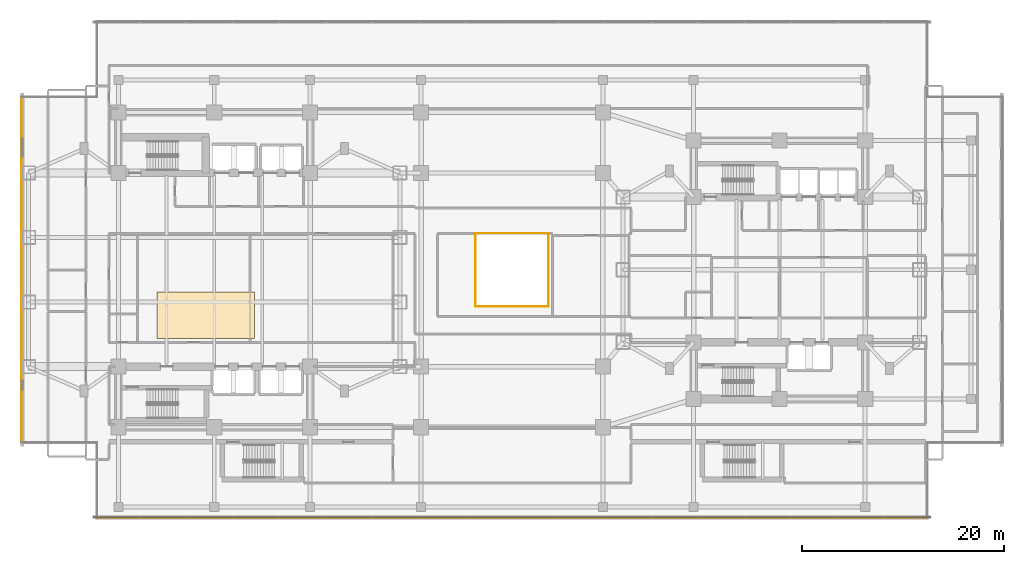
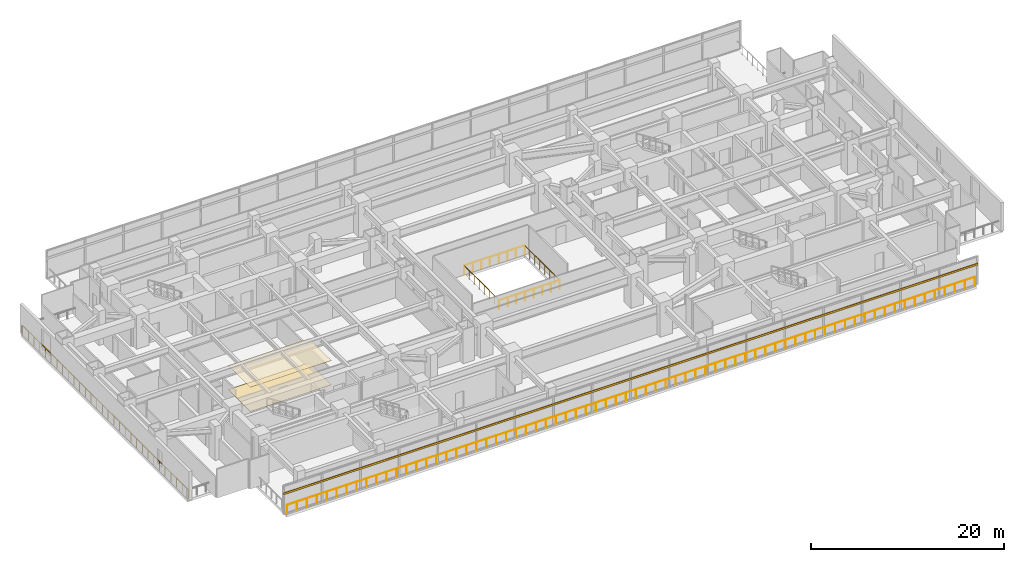
# One storey, part 21 of 26: 6 railings, 2 coverings, 1 shading device.
"""IFC4 building model written with IfcOpenShell, lengths in metres."""

from ifc_helpers import new_model, si_unit, direction, frame, origin, origin_2d, place, context, subcontext, project, spatial, polyline, rectangle, circle, outline, extrude, material, layer, layer_set, material_profile, profile_set, type_object, element, save


model = new_model("IFC4")

# Units and contexts
model_context = context("Model", 3, precision=1e-05, world=origin(), true_north=direction((0.0, 1.0)))
body_context = subcontext(model_context, "Body", "Model", "MODEL_VIEW")
ifc_project = project(units=[si_unit("LENGTHUNIT", "METRE"), si_unit("AREAUNIT", "SQUARE_METRE"), si_unit("VOLUMEUNIT", "CUBIC_METRE"), si_unit("PLANEANGLEUNIT", "RADIAN"), si_unit("MASSUNIT", "GRAM", prefix="KILO")], contexts=[model_context])

# Site, building, storey
site_placement = place(None, origin())
site = spatial("IfcSite", under=ifc_project, at=site_placement, CompositionType="ELEMENT")
building_placement = place(site_placement, origin())
building = spatial("IfcBuilding", under=site, at=building_placement, Name="Mirazonda Arch Towers", CompositionType="ELEMENT")
storey_placement = place(building_placement, frame((0.0, 0.0, 13.800048828125)))
storey = spatial("IfcBuildingStorey", under=building, at=storey_placement, Name="L03", CompositionType="ELEMENT", Elevation=13.800048828125)

# Shading device
ifc_material_1 = material(Name="Kiln-Fired Architectural Terracotta", Category="masonry")
ifc_material_profile = material_profile(ifc_material_1, rectangle(XDim=0.1201171875, YDim=0.239990234375, at=origin_2d()), Name="TERRA-BAG-120x240")
ifc_profile_set = profile_set([ifc_material_profile], Name="Kiln-Fired Architectural Terracotta")
shading_device_type = type_object("IfcShadingDeviceType", Name="BAGUETTE-1", PredefinedType="USERDEFINED", material=ifc_profile_set)
shading_device_placement = place(storey_placement, frame((91.5, 3.469970703125, 2.613525390625), z_axis=(-1.0, 0.0, 0.0), x_axis=(0.0, -1.0, 0.0)))
element("IfcShadingDevice", 1, at=shading_device_placement, inside=storey, type_object=shading_device_type, Name="L03 Glazed Terracotta Sun-Screen Baguette CW-L03-S1", ObjectType="BAGUETTE", PredefinedType="USERDEFINED", context=body_context, shape_type="SweptSolid", body=[
    extrude(rectangle(XDim=0.1201171875, YDim=0.239990234375, at=origin_2d()), origin(), (0.0, 0.0, 1.0), 83.0),
])

# Railings
ifc_material_2 = material(Name="Insulated Low-E Solar Glass", Category="glass")
railing_type_1 = type_object("IfcRailingType", Name="BALUSTRADE-ATRIUM-1150", PredefinedType="BALUSTRADE", material=ifc_material_2)
railing_1_placement = place(storey_placement, frame((46.3798828125, 24.3798828125, 0.0)))
element("IfcRailing", 2, at=railing_1_placement, inside=storey, type_object=railing_type_1, Name="L03 L03 Arch-Crown Atrium Void Balustrade 01", PredefinedType="BALUSTRADE", context=body_context, shape_type="SweptSolid", body=[
    extrude(circle(Radius=0.02392578125, at=origin_2d()), frame((0.0, 0.0, 1.1259765625), z_axis=(1.0, 0.0, 0.0), x_axis=(0.0, 1.0, 0.0)), (0.0, 0.0, 1.0), 7.240234375),
    extrude(circle(Radius=0.02099609375, at=origin_2d()), origin(), (0.0, 0.0, 1.0), 1.101806640625),
    extrude(circle(Radius=0.02099609375, at=origin_2d()), frame((1.034423828125, 0.0, 0.0)), (0.0, 0.0, 1.0), 1.101806640625),
    extrude(circle(Radius=0.02099609375, at=origin_2d()), frame((2.068603515625, 0.0, 0.0)), (0.0, 0.0, 1.0), 1.101806640625),
    extrude(circle(Radius=0.02099609375, at=origin_2d()), frame((3.10302734375, 0.0, 0.0)), (0.0, 0.0, 1.0), 1.101806640625),
    extrude(circle(Radius=0.02099609375, at=origin_2d()), frame((4.13720703125, 0.0, 0.0)), (0.0, 0.0, 1.0), 1.101806640625),
    extrude(circle(Radius=0.02099609375, at=origin_2d()), frame((5.171630859375, 0.0, 0.0)), (0.0, 0.0, 1.0), 1.101806640625),
    extrude(circle(Radius=0.02099609375, at=origin_2d()), frame((6.205810546875, 0.0, 0.0)), (0.0, 0.0, 1.0), 1.101806640625),
    extrude(circle(Radius=0.02099609375, at=origin_2d()), frame((7.240234375, 0.0, 0.0)), (0.0, 0.0, 1.0), 1.101806640625),
])
railing_2_placement = place(storey_placement, frame((53.6201171875, 24.3798828125, 0.0)))
element("IfcRailing", 3, at=railing_2_placement, inside=storey, type_object=railing_type_1, Name="L03 L03 Arch-Crown Atrium Void Balustrade 02", PredefinedType="BALUSTRADE", context=body_context, shape_type="SweptSolid", body=[
    extrude(circle(Radius=0.02392578125, at=origin_2d()), frame((0.0, 0.0, 1.1259765625), z_axis=(0.0, 1.0, 0.0), x_axis=(-1.0, 0.0, 0.0)), (0.0, 0.0, 1.0), 7.240234375),
    extrude(circle(Radius=0.02099609375, at=origin_2d()), origin(), (0.0, 0.0, 1.0), 1.101806640625),
    extrude(circle(Radius=0.02099609375, at=origin_2d()), frame((0.0, 1.034423828125, 0.0)), (0.0, 0.0, 1.0), 1.101806640625),
    extrude(circle(Radius=0.02099609375, at=origin_2d()), frame((0.0, 2.068603515625, 0.0)), (0.0, 0.0, 1.0), 1.101806640625),
    extrude(circle(Radius=0.02099609375, at=origin_2d()), frame((0.0, 3.10302734375, 0.0)), (0.0, 0.0, 1.0), 1.101806640625),
    extrude(circle(Radius=0.02099609375, at=origin_2d()), frame((0.0, 4.13720703125, 0.0)), (0.0, 0.0, 1.0), 1.101806640625),
    extrude(circle(Radius=0.02099609375, at=origin_2d()), frame((0.0, 5.171630859375, 0.0)), (0.0, 0.0, 1.0), 1.101806640625),
    extrude(circle(Radius=0.02099609375, at=origin_2d()), frame((0.0, 6.205810546875, 0.0)), (0.0, 0.0, 1.0), 1.101806640625),
    extrude(circle(Radius=0.02099609375, at=origin_2d()), frame((0.0, 7.240234375, 0.0)), (0.0, 0.0, 1.0), 1.101806640625),
])
railing_3_placement = place(storey_placement, frame((53.6201171875, 31.6201171875, 0.0)))
element("IfcRailing", 4, at=railing_3_placement, inside=storey, type_object=railing_type_1, Name="L03 L03 Arch-Crown Atrium Void Balustrade 03", PredefinedType="BALUSTRADE", context=body_context, shape_type="SweptSolid", body=[
    extrude(circle(Radius=0.02392578125, at=origin_2d()), frame((0.0, 0.0, 1.1259765625), z_axis=(-1.0, 0.0, 0.0), x_axis=(0.0, -1.0, 0.0)), (0.0, 0.0, 1.0), 7.240234375),
    extrude(circle(Radius=0.02099609375, at=origin_2d()), origin(), (0.0, 0.0, 1.0), 1.101806640625),
    extrude(circle(Radius=0.02099609375, at=origin_2d()), frame((-1.034423828125, 0.0, 0.0)), (0.0, 0.0, 1.0), 1.101806640625),
    extrude(circle(Radius=0.02099609375, at=origin_2d()), frame((-2.068603515625, 0.0, 0.0)), (0.0, 0.0, 1.0), 1.101806640625),
    extrude(circle(Radius=0.02099609375, at=origin_2d()), frame((-3.10302734375, 0.0, 0.0)), (0.0, 0.0, 1.0), 1.101806640625),
    extrude(circle(Radius=0.02099609375, at=origin_2d()), frame((-4.13720703125, 0.0, 0.0)), (0.0, 0.0, 1.0), 1.101806640625),
    extrude(circle(Radius=0.02099609375, at=origin_2d()), frame((-5.171630859375, 0.0, 0.0)), (0.0, 0.0, 1.0), 1.101806640625),
    extrude(circle(Radius=0.02099609375, at=origin_2d()), frame((-6.205810546875, 0.0, 0.0)), (0.0, 0.0, 1.0), 1.101806640625),
    extrude(circle(Radius=0.02099609375, at=origin_2d()), frame((-7.240234375, 0.0, 0.0)), (0.0, 0.0, 1.0), 1.101806640625),
])
railing_4_placement = place(storey_placement, frame((46.3798828125, 31.6201171875, 0.0)))
element("IfcRailing", 5, at=railing_4_placement, inside=storey, type_object=railing_type_1, Name="L03 L03 Arch-Crown Atrium Void Balustrade 04", PredefinedType="BALUSTRADE", context=body_context, shape_type="SweptSolid", body=[
    extrude(circle(Radius=0.02392578125, at=origin_2d()), frame((0.0, 0.0, 1.1259765625), z_axis=(0.0, -1.0, 0.0), x_axis=(1.0, 0.0, 0.0)), (0.0, 0.0, 1.0), 7.240234375),
    extrude(circle(Radius=0.02099609375, at=origin_2d()), origin(), (0.0, 0.0, 1.0), 1.101806640625),
    extrude(circle(Radius=0.02099609375, at=origin_2d()), frame((0.0, -1.034423828125, 0.0)), (0.0, 0.0, 1.0), 1.101806640625),
    extrude(circle(Radius=0.02099609375, at=origin_2d()), frame((0.0, -2.068603515625, 0.0)), (0.0, 0.0, 1.0), 1.101806640625),
    extrude(circle(Radius=0.02099609375, at=origin_2d()), frame((0.0, -3.10302734375, 0.0)), (0.0, 0.0, 1.0), 1.101806640625),
    extrude(circle(Radius=0.02099609375, at=origin_2d()), frame((0.0, -4.13720703125, 0.0)), (0.0, 0.0, 1.0), 1.101806640625),
    extrude(circle(Radius=0.02099609375, at=origin_2d()), frame((0.0, -5.171630859375, 0.0)), (0.0, 0.0, 1.0), 1.101806640625),
    extrude(circle(Radius=0.02099609375, at=origin_2d()), frame((0.0, -6.205810546875, 0.0)), (0.0, 0.0, 1.0), 1.101806640625),
    extrude(circle(Radius=0.02099609375, at=origin_2d()), frame((0.0, -7.240234375, 0.0)), (0.0, 0.0, 1.0), 1.101806640625),
])

# Coverings
ifc_material_3 = material(Name="Acoustic Mineral Fibre Ceiling")
ifc_layer_1 = layer(ifc_material_3, 0.02490234375, Name="COV-CEIL-ACOUSTIC")
ifc_layer_set_1 = layer_set([ifc_layer_1], Name="Acoustic Mineral Fibre Ceiling")
covering_type_1 = type_object("IfcCoveringType", Name="COV-CEIL-ACOUSTIC", PredefinedType="CEILING", material=ifc_layer_set_1)
covering_1_placement = place(storey_placement, frame((0.0, 0.0, 3.074951171875)))
element("IfcCovering", 6, at=covering_1_placement, inside=storey, type_object=covering_type_1, Name="L03 Suspended Acoustic Ceiling", PredefinedType="CEILING", context=body_context, shape_type="SweptSolid", body=[
    extrude(outline(polyline([(14.800048828125, 21.199951171875), (24.5, 21.199951171875), (24.5, 25.800048828125), (14.800048828125, 25.800048828125), (14.800048828125, 21.199951171875)])), origin(), (0.0, 0.0, 1.0), 0.02490234375),
])
ifc_material_4 = material(Name="Polished Terrazzo Stone Finish", Category="masonry")
ifc_layer_2 = layer(ifc_material_4, 0.030029296875, Name="COV-FLOOR-STONE")
ifc_layer_set_2 = layer_set([ifc_layer_2], Name="Polished Terrazzo Stone Finish")
covering_type_2 = type_object("IfcCoveringType", Name="COV-FLOOR-STONE", PredefinedType="FLOORING", material=ifc_layer_set_2)
covering_2_placement = place(storey_placement, origin())
element("IfcCovering", 7, at=covering_2_placement, inside=storey, type_object=covering_type_2, Name="L03 Polished Terrazzo Lobby Flooring", PredefinedType="FLOORING", context=body_context, shape_type="SweptSolid", body=[
    extrude(outline(polyline([(14.800048828125, 21.199951171875), (24.5, 21.199951171875), (24.5, 25.800048828125), (14.800048828125, 25.800048828125), (14.800048828125, 21.199951171875)])), origin(), (0.0, 0.0, 1.0), 0.030029296875),
])

# Railings
ifc_material_5 = material(Name="Architectural Brushed Steel S355", Category="steel")
railing_type_2 = type_object("IfcRailingType", Name="GUARD-EXT-1150", PredefinedType="GUARDRAIL", material=ifc_material_5)
railing_5_placement = place(storey_placement, frame((8.889892578125, 3.389892578125, 0.0)))
element("IfcRailing", 8, at=railing_5_placement, inside=storey, type_object=railing_type_2, Name="L03 L03 Bridged Podium Perimeter Guard 01", PredefinedType="GUARDRAIL", context=body_context, shape_type="SweptSolid", body=[
    extrude(circle(Radius=0.02392578125, at=origin_2d()), frame((0.0, 0.0, 1.1259765625), z_axis=(1.0, 0.0, 0.0), x_axis=(0.0, 1.0, 0.0)), (0.0, 0.0, 1.0), 82.22021484375),
    extrude(circle(Radius=0.02099609375, at=origin_2d()), origin(), (0.0, 0.0, 1.0), 1.101806640625),
    extrude(circle(Radius=0.02099609375, at=origin_2d()), frame((1.191650390625, 0.0, 0.0)), (0.0, 0.0, 1.0), 1.101806640625),
    extrude(circle(Radius=0.02099609375, at=origin_2d()), frame((2.38330078125, 0.0, 0.0)), (0.0, 0.0, 1.0), 1.101806640625),
    extrude(circle(Radius=0.02099609375, at=origin_2d()), frame((3.57470703125, 0.0, 0.0)), (0.0, 0.0, 1.0), 1.101806640625),
    extrude(circle(Radius=0.02099609375, at=origin_2d()), frame((4.766357421875, 0.0, 0.0)), (0.0, 0.0, 1.0), 1.101806640625),
    extrude(circle(Radius=0.02099609375, at=origin_2d()), frame((5.9580078125, 0.0, 0.0)), (0.0, 0.0, 1.0), 1.101806640625),
    extrude(circle(Radius=0.02099609375, at=origin_2d()), frame((7.149658203125, 0.0, 0.0)), (0.0, 0.0, 1.0), 1.101806640625),
    extrude(circle(Radius=0.02099609375, at=origin_2d()), frame((8.341064453125, 0.0, 0.0)), (0.0, 0.0, 1.0), 1.101806640625),
    extrude(circle(Radius=0.02099609375, at=origin_2d()), frame((9.53271484375, 0.0, 0.0)), (0.0, 0.0, 1.0), 1.101806640625),
    extrude(circle(Radius=0.02099609375, at=origin_2d()), frame((10.724365234375, 0.0, 0.0)), (0.0, 0.0, 1.0), 1.101806640625),
    extrude(circle(Radius=0.02099609375, at=origin_2d()), frame((11.916015625, 0.0, 0.0)), (0.0, 0.0, 1.0), 1.101806640625),
    extrude(circle(Radius=0.02099609375, at=origin_2d()), frame((13.107666015625, 0.0, 0.0)), (0.0, 0.0, 1.0), 1.101806640625),
    extrude(circle(Radius=0.02099609375, at=origin_2d()), frame((14.299072265625, 0.0, 0.0)), (0.0, 0.0, 1.0), 1.101806640625),
    extrude(circle(Radius=0.02099609375, at=origin_2d()), frame((15.49072265625, 0.0, 0.0)), (0.0, 0.0, 1.0), 1.101806640625),
    extrude(circle(Radius=0.02099609375, at=origin_2d()), frame((16.682373046875, 0.0, 0.0)), (0.0, 0.0, 1.0), 1.101806640625),
    extrude(circle(Radius=0.02099609375, at=origin_2d()), frame((17.8740234375, 0.0, 0.0)), (0.0, 0.0, 1.0), 1.101806640625),
    extrude(circle(Radius=0.02099609375, at=origin_2d()), frame((19.065673828125, 0.0, 0.0)), (0.0, 0.0, 1.0), 1.101806640625),
    extrude(circle(Radius=0.02099609375, at=origin_2d()), frame((20.257080078125, 0.0, 0.0)), (0.0, 0.0, 1.0), 1.101806640625),
    extrude(circle(Radius=0.02099609375, at=origin_2d()), frame((21.44873046875, 0.0, 0.0)), (0.0, 0.0, 1.0), 1.101806640625),
    extrude(circle(Radius=0.02099609375, at=origin_2d()), frame((22.640380859375, 0.0, 0.0)), (0.0, 0.0, 1.0), 1.101806640625),
    extrude(circle(Radius=0.02099609375, at=origin_2d()), frame((23.83203125, 0.0, 0.0)), (0.0, 0.0, 1.0), 1.101806640625),
    extrude(circle(Radius=0.02099609375, at=origin_2d()), frame((25.0234375, 0.0, 0.0)), (0.0, 0.0, 1.0), 1.101806640625),
    extrude(circle(Radius=0.02099609375, at=origin_2d()), frame((26.215087890625, 0.0, 0.0)), (0.0, 0.0, 1.0), 1.101806640625),
    extrude(circle(Radius=0.02099609375, at=origin_2d()), frame((27.40673828125, 0.0, 0.0)), (0.0, 0.0, 1.0), 1.101806640625),
    extrude(circle(Radius=0.02099609375, at=origin_2d()), frame((28.598388671875, 0.0, 0.0)), (0.0, 0.0, 1.0), 1.101806640625),
    extrude(circle(Radius=0.02099609375, at=origin_2d()), frame((29.7900390625, 0.0, 0.0)), (0.0, 0.0, 1.0), 1.101806640625),
    extrude(circle(Radius=0.02099609375, at=origin_2d()), frame((30.9814453125, 0.0, 0.0)), (0.0, 0.0, 1.0), 1.101806640625),
    extrude(circle(Radius=0.02099609375, at=origin_2d()), frame((32.173095703125, 0.0, 0.0)), (0.0, 0.0, 1.0), 1.101806640625),
    extrude(circle(Radius=0.02099609375, at=origin_2d()), frame((33.36474609375, 0.0, 0.0)), (0.0, 0.0, 1.0), 1.101806640625),
    extrude(circle(Radius=0.02099609375, at=origin_2d()), frame((34.556396484375, 0.0, 0.0)), (0.0, 0.0, 1.0), 1.101806640625),
    extrude(circle(Radius=0.02099609375, at=origin_2d()), frame((35.747802734375, 0.0, 0.0)), (0.0, 0.0, 1.0), 1.101806640625),
    extrude(circle(Radius=0.02099609375, at=origin_2d()), frame((36.939453125, 0.0, 0.0)), (0.0, 0.0, 1.0), 1.101806640625),
    extrude(circle(Radius=0.02099609375, at=origin_2d()), frame((38.131103515625, 0.0, 0.0)), (0.0, 0.0, 1.0), 1.101806640625),
    extrude(circle(Radius=0.02099609375, at=origin_2d()), frame((39.32275390625, 0.0, 0.0)), (0.0, 0.0, 1.0), 1.101806640625),
    extrude(circle(Radius=0.02099609375, at=origin_2d()), frame((40.514404296875, 0.0, 0.0)), (0.0, 0.0, 1.0), 1.101806640625),
    extrude(circle(Radius=0.02099609375, at=origin_2d()), frame((41.705810546875, 0.0, 0.0)), (0.0, 0.0, 1.0), 1.101806640625),
    extrude(circle(Radius=0.02099609375, at=origin_2d()), frame((42.8974609375, 0.0, 0.0)), (0.0, 0.0, 1.0), 1.101806640625),
    extrude(circle(Radius=0.02099609375, at=origin_2d()), frame((44.089111328125, 0.0, 0.0)), (0.0, 0.0, 1.0), 1.101806640625),
    extrude(circle(Radius=0.02099609375, at=origin_2d()), frame((45.28076171875, 0.0, 0.0)), (0.0, 0.0, 1.0), 1.101806640625),
    extrude(circle(Radius=0.02099609375, at=origin_2d()), frame((46.472412109375, 0.0, 0.0)), (0.0, 0.0, 1.0), 1.101806640625),
    extrude(circle(Radius=0.02099609375, at=origin_2d()), frame((47.663818359375, 0.0, 0.0)), (0.0, 0.0, 1.0), 1.101806640625),
    extrude(circle(Radius=0.02099609375, at=origin_2d()), frame((48.85546875, 0.0, 0.0)), (0.0, 0.0, 1.0), 1.101806640625),
    extrude(circle(Radius=0.02099609375, at=origin_2d()), frame((50.047119140625, 0.0, 0.0)), (0.0, 0.0, 1.0), 1.101806640625),
    extrude(circle(Radius=0.02099609375, at=origin_2d()), frame((51.23876953125, 0.0, 0.0)), (0.0, 0.0, 1.0), 1.101806640625),
    extrude(circle(Radius=0.02099609375, at=origin_2d()), frame((52.43017578125, 0.0, 0.0)), (0.0, 0.0, 1.0), 1.101806640625),
    extrude(circle(Radius=0.02099609375, at=origin_2d()), frame((53.621826171875, 0.0, 0.0)), (0.0, 0.0, 1.0), 1.101806640625),
    extrude(circle(Radius=0.02099609375, at=origin_2d()), frame((54.8134765625, 0.0, 0.0)), (0.0, 0.0, 1.0), 1.101806640625),
    extrude(circle(Radius=0.02099609375, at=origin_2d()), frame((56.005126953125, 0.0, 0.0)), (0.0, 0.0, 1.0), 1.101806640625),
    extrude(circle(Radius=0.02099609375, at=origin_2d()), frame((57.19677734375, 0.0, 0.0)), (0.0, 0.0, 1.0), 1.101806640625),
    extrude(circle(Radius=0.02099609375, at=origin_2d()), frame((58.38818359375, 0.0, 0.0)), (0.0, 0.0, 1.0), 1.101806640625),
    extrude(circle(Radius=0.02099609375, at=origin_2d()), frame((59.579833984375, 0.0, 0.0)), (0.0, 0.0, 1.0), 1.101806640625),
    extrude(circle(Radius=0.02099609375, at=origin_2d()), frame((60.771484375, 0.0, 0.0)), (0.0, 0.0, 1.0), 1.101806640625),
    extrude(circle(Radius=0.02099609375, at=origin_2d()), frame((61.963134765625, 0.0, 0.0)), (0.0, 0.0, 1.0), 1.101806640625),
    extrude(circle(Radius=0.02099609375, at=origin_2d()), frame((63.154541015625, 0.0, 0.0)), (0.0, 0.0, 1.0), 1.101806640625),
    extrude(circle(Radius=0.02099609375, at=origin_2d()), frame((64.34619140625, 0.0, 0.0)), (0.0, 0.0, 1.0), 1.101806640625),
    extrude(circle(Radius=0.02099609375, at=origin_2d()), frame((65.537841796875, 0.0, 0.0)), (0.0, 0.0, 1.0), 1.101806640625),
    extrude(circle(Radius=0.02099609375, at=origin_2d()), frame((66.7294921875, 0.0, 0.0)), (0.0, 0.0, 1.0), 1.101806640625),
    extrude(circle(Radius=0.02099609375, at=origin_2d()), frame((67.921142578125, 0.0, 0.0)), (0.0, 0.0, 1.0), 1.101806640625),
    extrude(circle(Radius=0.02099609375, at=origin_2d()), frame((69.112548828125, 0.0, 0.0)), (0.0, 0.0, 1.0), 1.101806640625),
    extrude(circle(Radius=0.02099609375, at=origin_2d()), frame((70.30419921875, 0.0, 0.0)), (0.0, 0.0, 1.0), 1.101806640625),
    extrude(circle(Radius=0.02099609375, at=origin_2d()), frame((71.495849609375, 0.0, 0.0)), (0.0, 0.0, 1.0), 1.101806640625),
    extrude(circle(Radius=0.02099609375, at=origin_2d()), frame((72.6875, 0.0, 0.0)), (0.0, 0.0, 1.0), 1.101806640625),
    extrude(circle(Radius=0.02099609375, at=origin_2d()), frame((73.879150390625, 0.0, 0.0)), (0.0, 0.0, 1.0), 1.101806640625),
    extrude(circle(Radius=0.02099609375, at=origin_2d()), frame((75.070556640625, 0.0, 0.0)), (0.0, 0.0, 1.0), 1.101806640625),
    extrude(circle(Radius=0.02099609375, at=origin_2d()), frame((76.26220703125, 0.0, 0.0)), (0.0, 0.0, 1.0), 1.101806640625),
    extrude(circle(Radius=0.02099609375, at=origin_2d()), frame((77.453857421875, 0.0, 0.0)), (0.0, 0.0, 1.0), 1.101806640625),
    extrude(circle(Radius=0.02099609375, at=origin_2d()), frame((78.6455078125, 0.0, 0.0)), (0.0, 0.0, 1.0), 1.101806640625),
    extrude(circle(Radius=0.02099609375, at=origin_2d()), frame((79.8369140625, 0.0, 0.0)), (0.0, 0.0, 1.0), 1.101806640625),
    extrude(circle(Radius=0.02099609375, at=origin_2d()), frame((81.028564453125, 0.0, 0.0)), (0.0, 0.0, 1.0), 1.101806640625),
    extrude(circle(Radius=0.02099609375, at=origin_2d()), frame((82.22021484375, 0.0, 0.0)), (0.0, 0.0, 1.0), 1.101806640625),
])
railing_6_placement = place(storey_placement, frame((1.389892578125, 45.110107421875, 0.0)))
element("IfcRailing", 9, at=railing_6_placement, inside=storey, type_object=railing_type_2, Name="L03 L03 Bridged Podium Perimeter Guard 10", PredefinedType="GUARDRAIL", context=body_context, shape_type="SweptSolid", body=[
    extrude(circle(Radius=0.02392578125, at=origin_2d()), frame((0.0, 0.0, 1.1259765625), z_axis=(0.0, -1.0, 0.0), x_axis=(1.0, 0.0, 0.0)), (0.0, 0.0, 1.0), 34.22021484375),
    extrude(circle(Radius=0.02099609375, at=origin_2d()), origin(), (0.0, 0.0, 1.0), 1.101806640625),
    extrude(circle(Radius=0.02099609375, at=origin_2d()), frame((0.0, -1.179931640625, 0.0)), (0.0, 0.0, 1.0), 1.101806640625),
    extrude(circle(Radius=0.02099609375, at=origin_2d()), frame((0.0, -2.360107421875, 0.0)), (0.0, 0.0, 1.0), 1.101806640625),
    extrude(circle(Radius=0.02099609375, at=origin_2d()), frame((0.0, -3.5400390625, 0.0)), (0.0, 0.0, 1.0), 1.101806640625),
    extrude(circle(Radius=0.02099609375, at=origin_2d()), frame((0.0, -4.719970703125, 0.0)), (0.0, 0.0, 1.0), 1.101806640625),
    extrude(circle(Radius=0.02099609375, at=origin_2d()), frame((0.0, -5.900146484375, 0.0)), (0.0, 0.0, 1.0), 1.101806640625),
    extrude(circle(Radius=0.02099609375, at=origin_2d()), frame((0.0, -7.080078125, 0.0)), (0.0, 0.0, 1.0), 1.101806640625),
    extrude(circle(Radius=0.02099609375, at=origin_2d()), frame((0.0, -8.260009765625, 0.0)), (0.0, 0.0, 1.0), 1.101806640625),
    extrude(circle(Radius=0.02099609375, at=origin_2d()), frame((0.0, -9.43994140625, 0.0)), (0.0, 0.0, 1.0), 1.101806640625),
    extrude(circle(Radius=0.02099609375, at=origin_2d()), frame((0.0, -10.6201171875, 0.0)), (0.0, 0.0, 1.0), 1.101806640625),
    extrude(circle(Radius=0.02099609375, at=origin_2d()), frame((0.0, -11.800048828125, 0.0)), (0.0, 0.0, 1.0), 1.101806640625),
    extrude(circle(Radius=0.02099609375, at=origin_2d()), frame((0.0, -12.97998046875, 0.0)), (0.0, 0.0, 1.0), 1.101806640625),
    extrude(circle(Radius=0.02099609375, at=origin_2d()), frame((0.0, -14.16015625, 0.0)), (0.0, 0.0, 1.0), 1.101806640625),
    extrude(circle(Radius=0.02099609375, at=origin_2d()), frame((0.0, -15.340087890625, 0.0)), (0.0, 0.0, 1.0), 1.101806640625),
    extrude(circle(Radius=0.02099609375, at=origin_2d()), frame((0.0, -16.52001953125, 0.0)), (0.0, 0.0, 1.0), 1.101806640625),
    extrude(circle(Radius=0.02099609375, at=origin_2d()), frame((0.0, -17.7001953125, 0.0)), (0.0, 0.0, 1.0), 1.101806640625),
    extrude(circle(Radius=0.02099609375, at=origin_2d()), frame((0.0, -18.880126953125, 0.0)), (0.0, 0.0, 1.0), 1.101806640625),
    extrude(circle(Radius=0.02099609375, at=origin_2d()), frame((0.0, -20.06005859375, 0.0)), (0.0, 0.0, 1.0), 1.101806640625),
    extrude(circle(Radius=0.02099609375, at=origin_2d()), frame((0.0, -21.240234375, 0.0)), (0.0, 0.0, 1.0), 1.101806640625),
    extrude(circle(Radius=0.02099609375, at=origin_2d()), frame((0.0, -22.420166015625, 0.0)), (0.0, 0.0, 1.0), 1.101806640625),
    extrude(circle(Radius=0.02099609375, at=origin_2d()), frame((0.0, -23.60009765625, 0.0)), (0.0, 0.0, 1.0), 1.101806640625),
    extrude(circle(Radius=0.02099609375, at=origin_2d()), frame((0.0, -24.7802734375, 0.0)), (0.0, 0.0, 1.0), 1.101806640625),
    extrude(circle(Radius=0.02099609375, at=origin_2d()), frame((0.0, -25.960205078125, 0.0)), (0.0, 0.0, 1.0), 1.101806640625),
    extrude(circle(Radius=0.02099609375, at=origin_2d()), frame((0.0, -27.14013671875, 0.0)), (0.0, 0.0, 1.0), 1.101806640625),
    extrude(circle(Radius=0.02099609375, at=origin_2d()), frame((0.0, -28.320068359375, 0.0)), (0.0, 0.0, 1.0), 1.101806640625),
    extrude(circle(Radius=0.02099609375, at=origin_2d()), frame((0.0, -29.500244140625, 0.0)), (0.0, 0.0, 1.0), 1.101806640625),
    extrude(circle(Radius=0.02099609375, at=origin_2d()), frame((0.0, -30.68017578125, 0.0)), (0.0, 0.0, 1.0), 1.101806640625),
    extrude(circle(Radius=0.02099609375, at=origin_2d()), frame((0.0, -31.860107421875, 0.0)), (0.0, 0.0, 1.0), 1.101806640625),
    extrude(circle(Radius=0.02099609375, at=origin_2d()), frame((0.0, -33.040283203125, 0.0)), (0.0, 0.0, 1.0), 1.101806640625),
    extrude(circle(Radius=0.02099609375, at=origin_2d()), frame((0.0, -34.22021484375, 0.0)), (0.0, 0.0, 1.0), 1.101806640625),
])

save(model, "model.ifc")
